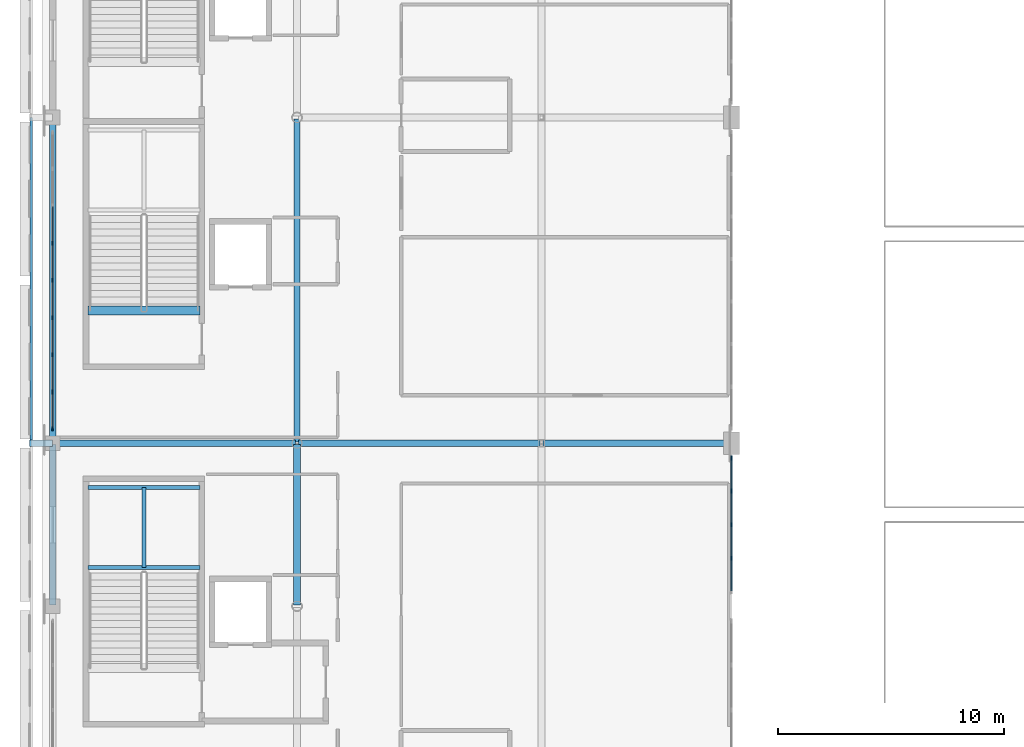
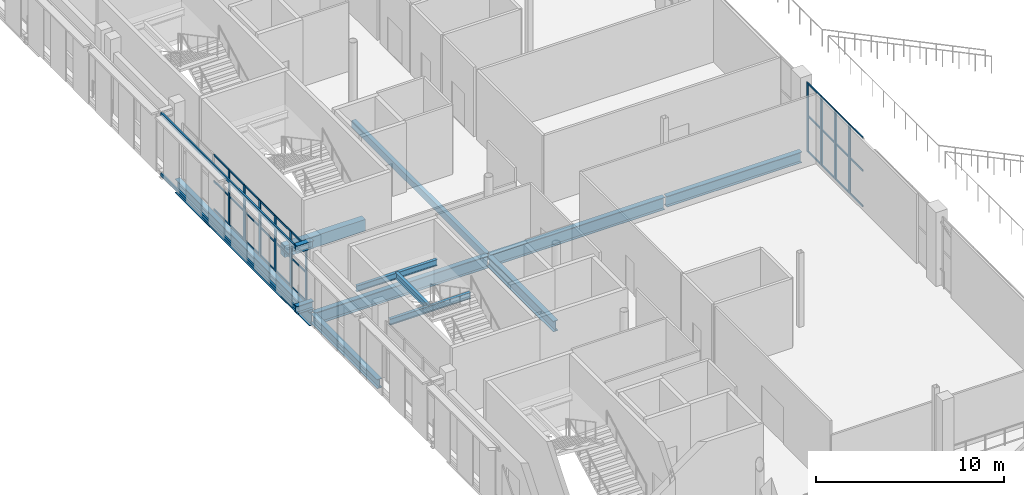
# One storey, part 19 of 104: 42 members, 13 beams, 2 elements without a shape of their own.
"""IFC4 building model written with IfcOpenShell, lengths in metres."""

from ifc_helpers import new_model, si_unit, direction, frame, origin, origin_2d, place, context, subcontext, project, spatial, rectangle, hollow_rectangle, i_section, extrude, material, material_profile, profile_set, type_object, element, aggregate, save


model = new_model("IFC4")

# Units and contexts
model_context = context("Model", 3, precision=1e-05, world=origin(), true_north=direction((0.0, 1.0)))
body_context = subcontext(model_context, "Body", "Model", "MODEL_VIEW")
ifc_project = project(units=[si_unit("LENGTHUNIT", "METRE"), si_unit("AREAUNIT", "SQUARE_METRE"), si_unit("VOLUMEUNIT", "CUBIC_METRE"), si_unit("PLANEANGLEUNIT", "RADIAN"), si_unit("MASSUNIT", "GRAM", prefix="KILO")], contexts=[model_context])

# Site, building, storey
site_placement = place(None, origin())
site = spatial("IfcSite", under=ifc_project, at=site_placement, CompositionType="ELEMENT")
building_placement = place(site_placement, origin())
building = spatial("IfcBuilding", under=site, at=building_placement, Name="Koshinbarg Plaza Stadium", CompositionType="ELEMENT")
storey_placement = place(building_placement, frame((0.0, 0.0, 19.800048828125)))
storey = spatial("IfcBuildingStorey", under=building, at=storey_placement, Name="L04", CompositionType="ELEMENT", Elevation=19.800048828125)

# Beams
ifc_material_1 = material(Name="Steel S355", Category="steel")
ifc_material_profile_1 = material_profile(ifc_material_1, i_section(OverallWidth=0.300048828125, OverallDepth=0.5, WebThickness=0.014404296875, FlangeThickness=0.028076171875, at=origin_2d()), Name="HEB 500")
ifc_profile_set_1 = profile_set([ifc_material_profile_1], Name="Steel S355")
beam_type_1 = type_object("IfcBeamType", Name="BM-CANOPY-CANT", PredefinedType="BEAM", material=ifc_profile_set_1)
for number, where, z_axis, x_axis, name in (
    (1, (24.60009765625, 54.300048828125, 0.25), (-1.0, 0.0, 0.0), (0.0, -1.0, 0.0), "Outer screen cantilever outrigger W-L04-Y03"),
    (2, (24.60009765625, 54.300048828125, 4.179931640625), (-1.0, 0.0, 0.0), (0.0, -1.0, 0.0), "Outer screen cantilever outrigger W-L04-Y03"),
):
    element("IfcBeam", number, at=place(storey_placement, frame(where, z_axis=z_axis, x_axis=x_axis)), inside=storey, type_object=beam_type_1, Name=name, PredefinedType="BEAM", context=body_context, shape_type="SweptSolid", body=[
        extrude(i_section(OverallWidth=0.300048828125, OverallDepth=0.5, WebThickness=0.014404296875, FlangeThickness=0.028076171875, at=origin_2d()), origin(), (0.0, 0.0, 1.0), 1.030029296875),
    ])
ifc_material_2 = material(Name="Concrete C40/50", Category="concrete")
ifc_material_profile_2 = material_profile(ifc_material_2, rectangle(XDim=0.39990234375, YDim=0.75, at=origin_2d()), Name="RC 400x750")
ifc_profile_set_2 = profile_set([ifc_material_profile_2], Name="Concrete C40/50")
beam_type_2 = type_object("IfcBeamType", Name="BM-RCG-03", PredefinedType="USERDEFINED", material=ifc_profile_set_2)
beam_1_placement = place(storey_placement, frame((26.14990234375, 60.159912109375, -0.375), z_axis=(1.0, 0.0, 0.0), x_axis=(0.0, 1.0, 0.0)))
element("IfcBeam", 3, at=beam_1_placement, inside=storey, type_object=beam_type_2, Name="L04 stair landing header beam C03", ObjectType="GIRDER", PredefinedType="USERDEFINED", context=body_context, shape_type="SweptSolid", body=[
    extrude(rectangle(XDim=0.39990234375, YDim=0.75, at=origin_2d()), origin(), (0.0, 0.0, 1.0), 4.97021484375),
])
ifc_material_profile_3 = material_profile(ifc_material_1, i_section(OverallWidth=0.179931640625, OverallDepth=0.39990234375, WebThickness=0.008544921875, FlangeThickness=0.013427734375, at=origin_2d()), Name="IPE 400")
ifc_profile_set_3 = profile_set([ifc_material_profile_3], Name="Steel S355")
beam_type_3 = type_object("IfcBeamType", Name="BM-SBM-01", PredefinedType="BEAM", material=ifc_profile_set_3)
for number, where, z_axis, x_axis, name in (
    (4, (26.14990234375, 48.81005859375, 1.8798828125), (1.0, 0.0, 0.0), (0.0, 1.0, 0.0), "L04 Protected Exit Stair C02 landing trimmer beam 1"),
    (5, (26.14990234375, 52.35009765625, 1.8798828125), (1.0, 0.0, 0.0), (0.0, 1.0, 0.0), "L04 Protected Exit Stair C02 landing trimmer beam 2"),
):
    element("IfcBeam", number, at=place(storey_placement, frame(where, z_axis=z_axis, x_axis=x_axis)), inside=storey, type_object=beam_type_3, Name=name, PredefinedType="BEAM", context=body_context, shape_type="SweptSolid", body=[
        extrude(i_section(OverallWidth=0.179931640625, OverallDepth=0.39990234375, WebThickness=0.008544921875, FlangeThickness=0.013427734375, at=origin_2d()), origin(), (0.0, 0.0, 1.0), 4.97021484375),
    ])
beam_2_placement = place(storey_placement, frame((28.635009765625, 48.81005859375, 1.8798828125), z_axis=(0.0, 1.0, 0.0), x_axis=(-1.0, 0.0, 0.0)))
element("IfcBeam", 6, at=beam_2_placement, inside=storey, type_object=beam_type_3, Name="L04 Protected Exit Stair C02 landing trimmer beam 3", PredefinedType="BEAM", context=body_context, shape_type="SweptSolid", body=[
    extrude(i_section(OverallWidth=0.179931640625, OverallDepth=0.39990234375, WebThickness=0.008544921875, FlangeThickness=0.013427734375, at=origin_2d()), origin(), (0.0, 0.0, 1.0), 3.5400390625),
])
ifc_material_profile_4 = material_profile(ifc_material_1, i_section(OverallWidth=0.300048828125, OverallDepth=0.60009765625, WebThickness=0.015380859375, FlangeThickness=0.030029296875, at=origin_2d()), Name="HEB 600")
ifc_profile_set_4 = profile_set([ifc_material_profile_4], Name="Steel S355")
beam_type_4 = type_object("IfcBeamType", Name="BM-SGIR-02", PredefinedType="USERDEFINED", material=ifc_profile_set_4)
beam_3_placement = place(storey_placement, frame((24.60009765625, 47.159912109375, -0.60009765625), z_axis=(0.0, 1.0, 0.0), x_axis=(-1.0, 0.0, 0.0)))
element("IfcBeam", 7, at=beam_3_placement, inside=storey, type_object=beam_type_4, Name="L04 Y girder 5/G-H", ObjectType="GIRDER", PredefinedType="USERDEFINED", context=body_context, shape_type="SweptSolid", body=[
    extrude(i_section(OverallWidth=0.300048828125, OverallDepth=0.60009765625, WebThickness=0.015380859375, FlangeThickness=0.030029296875, at=origin_2d()), origin(), (0.0, 0.0, 1.0), 7.080078125),
])
ifc_material_profile_5 = material_profile(ifc_material_1, i_section(OverallWidth=0.300048828125, OverallDepth=0.699951171875, WebThickness=0.01708984375, FlangeThickness=0.031982421875, at=origin_2d()), Name="HEB 700")
ifc_profile_set_5 = profile_set([ifc_material_profile_5], Name="Steel S355")
beam_type_5 = type_object("IfcBeamType", Name="BM-SGIR-03", PredefinedType="USERDEFINED", material=ifc_profile_set_5)
beam_4_placement = place(storey_placement, frame((46.260009765625, 54.300048828125, -0.650146484375), z_axis=(1.0, 0.0, 0.0), x_axis=(0.0, 1.0, 0.0)))
element("IfcBeam", 8, at=beam_4_placement, inside=storey, type_object=beam_type_5, Name="L04 X girder H/7-8", ObjectType="GIRDER", PredefinedType="USERDEFINED", context=body_context, shape_type="SweptSolid", body=[
    extrude(i_section(OverallWidth=0.300048828125, OverallDepth=0.699951171875, WebThickness=0.01708984375, FlangeThickness=0.031982421875, at=origin_2d()), origin(), (0.0, 0.0, 1.0), 8.280029296875),
])
beam_5_placement = place(storey_placement, frame((35.39990234375, 47.159912109375, -0.650146484375), z_axis=(0.0, 1.0, 0.0), x_axis=(-1.0, 0.0, 0.0)))
element("IfcBeam", 9, at=beam_5_placement, inside=storey, type_object=beam_type_5, Name="L04 Y girder 6/G-H", ObjectType="GIRDER", PredefinedType="USERDEFINED", context=body_context, shape_type="SweptSolid", body=[
    extrude(i_section(OverallWidth=0.300048828125, OverallDepth=0.699951171875, WebThickness=0.01708984375, FlangeThickness=0.031982421875, at=origin_2d()), origin(), (0.0, 0.0, 1.0), 7.080078125),
])
ifc_material_profile_6 = material_profile(ifc_material_1, i_section(OverallWidth=0.300048828125, OverallDepth=0.800048828125, WebThickness=0.017578125, FlangeThickness=0.032958984375, at=origin_2d()), Name="HEB 800")
ifc_profile_set_6 = profile_set([ifc_material_profile_6], Name="Steel S355")
beam_type_6 = type_object("IfcBeamType", Name="BM-SGIR-04", PredefinedType="USERDEFINED", material=ifc_profile_set_6)
beam_6_placement = place(storey_placement, frame((24.659912109375, 54.300048828125, -0.699951171875), z_axis=(1.0, 0.0, 0.0), x_axis=(0.0, 1.0, 0.0)))
element("IfcBeam", 10, at=beam_6_placement, inside=storey, type_object=beam_type_6, Name="L04 X girder H/5-6", ObjectType="GIRDER", PredefinedType="USERDEFINED", context=body_context, shape_type="SweptSolid", body=[
    extrude(i_section(OverallWidth=0.300048828125, OverallDepth=0.800048828125, WebThickness=0.017578125, FlangeThickness=0.032958984375, at=origin_2d()), origin(), (0.0, 0.0, 1.0), 10.68017578125),
])
beam_7_placement = place(storey_placement, frame((35.4599609375, 54.300048828125, -0.699951171875), z_axis=(1.0, 0.0, 0.0), x_axis=(0.0, 1.0, 0.0)))
element("IfcBeam", 11, at=beam_7_placement, inside=storey, type_object=beam_type_6, Name="L04 X girder H/6-7", ObjectType="GIRDER", PredefinedType="USERDEFINED", context=body_context, shape_type="SweptSolid", body=[
    extrude(i_section(OverallWidth=0.300048828125, OverallDepth=0.800048828125, WebThickness=0.017578125, FlangeThickness=0.032958984375, at=origin_2d()), origin(), (0.0, 0.0, 1.0), 10.679931640625),
])
ifc_material_profile_7 = material_profile(ifc_material_1, i_section(OverallWidth=0.300048828125, OverallDepth=0.89990234375, WebThickness=0.0185546875, FlangeThickness=0.034912109375, at=origin_2d()), Name="HEB 900")
ifc_profile_set_7 = profile_set([ifc_material_profile_7], Name="Steel S355")
beam_type_7 = type_object("IfcBeamType", Name="BM-SGIR-05", PredefinedType="USERDEFINED", material=ifc_profile_set_7)
beam_8_placement = place(storey_placement, frame((24.60009765625, 54.360107421875, -0.75), z_axis=(0.0, 1.0, 0.0), x_axis=(-1.0, 0.0, 0.0)))
element("IfcBeam", 12, at=beam_8_placement, inside=storey, type_object=beam_type_7, Name="L04 Y girder 5/H-J", ObjectType="GIRDER", PredefinedType="USERDEFINED", context=body_context, shape_type="SweptSolid", body=[
    extrude(i_section(OverallWidth=0.300048828125, OverallDepth=0.89990234375, WebThickness=0.0185546875, FlangeThickness=0.034912109375, at=origin_2d()), origin(), (0.0, 0.0, 1.0), 14.27978515625),
])
ifc_material_profile_8 = material_profile(ifc_material_1, hollow_rectangle(XDim=0.25, YDim=0.449951171875, WallThickness=0.01611328125, at=origin_2d()), Name="RHS 450x250x16")
ifc_profile_set_8 = profile_set([ifc_material_profile_8], Name="Steel S355")
beam_type_8 = type_object("IfcBeamType", Name="BM-SGIR-06", PredefinedType="USERDEFINED", material=ifc_profile_set_8)
beam_9_placement = place(storey_placement, frame((35.39990234375, 54.360107421875, -0.525146484375), z_axis=(0.0, 1.0, 0.0), x_axis=(-1.0, 0.0, 0.0)))
element("IfcBeam", 13, at=beam_9_placement, inside=storey, type_object=beam_type_8, Name="L04 Y girder 6/H-J", ObjectType="GIRDER", PredefinedType="USERDEFINED", context=body_context, shape_type="SweptSolid", body=[
    extrude(hollow_rectangle(XDim=0.25, YDim=0.449951171875, WallThickness=0.01611328125, at=origin_2d()), origin(), (0.0, 0.0, 1.0), 14.27978515625),
])

# Curtain wall, members
ifc_material_3 = material(Name="Thermally broken anodised aluminium and low-E double glazing", Category="aluminium")
curtain_wall_type_1 = type_object("IfcCurtainWallType", Name="CW-SYS-15", PredefinedType="NOTDEFINED", material=ifc_material_3)
curtain_wall_1_placement = place(storey_placement, origin())
curtain_wall_1 = element("IfcCurtainWall", 14, at=curtain_wall_1_placement, inside=storey, type_object=curtain_wall_type_1, Name="L04 unitised curtain wall CW-L04-094", PredefinedType="NOTDEFINED")
ifc_material_4 = material(Name="Anodised aluminium mullion", Category="aluminium")
ifc_material_profile_9 = material_profile(ifc_material_4, rectangle(XDim=0.070068359375, YDim=0.179931640625, at=origin_2d()), Name="ALU 70x180")
ifc_profile_set_9 = profile_set([ifc_material_profile_9], Name="Anodised aluminium mullion")
member_type_1 = type_object("IfcMemberType", Name="CW-MUL-03", PredefinedType="MULLION", material=ifc_profile_set_9)
member_1_placement = place(storey_placement, frame((24.60009765625, 54.949951171875, 0.0), z_axis=(0.0, 0.0, 1.0), x_axis=(-1.0, 0.0, 0.0)))
member_1 = element("IfcMember", 15, at=member_1_placement, type_object=member_type_1, Name="CW15 mullion 1", PredefinedType="MULLION", context=body_context, shape_type="SweptSolid", body=[
    extrude(rectangle(XDim=0.070068359375, YDim=0.179931640625, at=origin_2d()), origin(), (0.0, 0.0, 1.0), 3.579833984375),
])
member_2_placement = place(storey_placement, frame((24.60009765625, 56.56494140625, 0.0), z_axis=(0.0, 0.0, 1.0), x_axis=(-1.0, 0.0, 0.0)))
member_2 = element("IfcMember", 16, at=member_2_placement, type_object=member_type_1, Name="CW15 mullion 2", PredefinedType="MULLION", context=body_context, shape_type="SweptSolid", body=[
    extrude(rectangle(XDim=0.070068359375, YDim=0.179931640625, at=origin_2d()), origin(), (0.0, 0.0, 1.0), 3.579833984375),
])
member_3_placement = place(storey_placement, frame((24.60009765625, 58.2099609375, 0.0), z_axis=(0.0, 0.0, 1.0), x_axis=(-1.0, 0.0, 0.0)))
member_3 = element("IfcMember", 17, at=member_3_placement, type_object=member_type_1, Name="CW15 mullion 3", PredefinedType="MULLION", context=body_context, shape_type="SweptSolid", body=[
    extrude(rectangle(XDim=0.070068359375, YDim=0.179931640625, at=origin_2d()), origin(), (0.0, 0.0, 1.0), 3.579833984375),
])
member_4_placement = place(storey_placement, frame((24.60009765625, 59.85498046875, 0.0), z_axis=(0.0, 0.0, 1.0), x_axis=(-1.0, 0.0, 0.0)))
member_4 = element("IfcMember", 18, at=member_4_placement, type_object=member_type_1, Name="CW15 mullion 4", PredefinedType="MULLION", context=body_context, shape_type="SweptSolid", body=[
    extrude(rectangle(XDim=0.070068359375, YDim=0.179931640625, at=origin_2d()), origin(), (0.0, 0.0, 1.0), 3.579833984375),
])
member_5_placement = place(storey_placement, frame((24.60009765625, 61.5, 0.0), z_axis=(0.0, 0.0, 1.0), x_axis=(-1.0, 0.0, 0.0)))
member_5 = element("IfcMember", 19, at=member_5_placement, type_object=member_type_1, Name="CW15 mullion 5", PredefinedType="MULLION", context=body_context, shape_type="SweptSolid", body=[
    extrude(rectangle(XDim=0.070068359375, YDim=0.179931640625, at=origin_2d()), origin(), (0.0, 0.0, 1.0), 3.579833984375),
])
member_6_placement = place(storey_placement, frame((24.60009765625, 63.14501953125, 0.0), z_axis=(0.0, 0.0, 1.0), x_axis=(-1.0, 0.0, 0.0)))
member_6 = element("IfcMember", 20, at=member_6_placement, type_object=member_type_1, Name="CW15 mullion 6", PredefinedType="MULLION", context=body_context, shape_type="SweptSolid", body=[
    extrude(rectangle(XDim=0.070068359375, YDim=0.179931640625, at=origin_2d()), origin(), (0.0, 0.0, 1.0), 3.579833984375),
])

curtain_wall_type_2 = type_object("IfcCurtainWallType", Name="CW-SYS-07", PredefinedType="NOTDEFINED", material=ifc_material_3)
curtain_wall_2_placement = place(storey_placement, origin())
curtain_wall_2 = element("IfcCurtainWall", 21, at=curtain_wall_2_placement, inside=storey, type_object=curtain_wall_type_2, Name="L04 unitised curtain wall CW-L04-118", PredefinedType="NOTDEFINED")
member_7_placement = place(storey_placement, frame((54.60009765625, 53.64990234375, 0.0), z_axis=(0.0, 0.0, 1.0), x_axis=(1.0, 0.0, 0.0)))
member_7 = element("IfcMember", 22, at=member_7_placement, type_object=member_type_1, Name="CW07 mullion 1", PredefinedType="MULLION", context=body_context, shape_type="SweptSolid", body=[
    extrude(rectangle(XDim=0.070068359375, YDim=0.179931640625, at=origin_2d()), origin(), (0.0, 0.0, 1.0), 4.47998046875),
])
member_8_placement = place(storey_placement, frame((54.60009765625, 52.18994140625, 0.0), z_axis=(0.0, 0.0, 1.0), x_axis=(1.0, 0.0, 0.0)))
member_8 = element("IfcMember", 23, at=member_8_placement, type_object=member_type_1, Name="CW07 mullion 2", PredefinedType="MULLION", context=body_context, shape_type="SweptSolid", body=[
    extrude(rectangle(XDim=0.070068359375, YDim=0.179931640625, at=origin_2d()), origin(), (0.0, 0.0, 1.0), 4.47998046875),
])
member_9_placement = place(storey_placement, frame((54.60009765625, 50.699951171875, 0.0), z_axis=(0.0, 0.0, 1.0), x_axis=(1.0, 0.0, 0.0)))
member_9 = element("IfcMember", 24, at=member_9_placement, type_object=member_type_1, Name="CW07 mullion 3", PredefinedType="MULLION", context=body_context, shape_type="SweptSolid", body=[
    extrude(rectangle(XDim=0.070068359375, YDim=0.179931640625, at=origin_2d()), origin(), (0.0, 0.0, 1.0), 4.47998046875),
])
member_10_placement = place(storey_placement, frame((54.60009765625, 49.2099609375, 0.0), z_axis=(0.0, 0.0, 1.0), x_axis=(1.0, 0.0, 0.0)))
member_10 = element("IfcMember", 25, at=member_10_placement, type_object=member_type_1, Name="CW07 mullion 4", PredefinedType="MULLION", context=body_context, shape_type="SweptSolid", body=[
    extrude(rectangle(XDim=0.070068359375, YDim=0.179931640625, at=origin_2d()), origin(), (0.0, 0.0, 1.0), 4.47998046875),
])

# Member
ifc_material_5 = material(Name="Anodised aluminium transom", Category="aluminium")
ifc_material_profile_10 = material_profile(ifc_material_5, rectangle(XDim=0.06005859375, YDim=0.110107421875, at=origin_2d()), Name="ALU 60x110")
ifc_profile_set_10 = profile_set([ifc_material_profile_10], Name="Anodised aluminium transom")
member_type_2 = type_object("IfcMemberType", Name="CW-TRN-01", PredefinedType="USERDEFINED", material=ifc_profile_set_10)
member_11_placement = place(storey_placement, frame((24.60009765625, 54.97998046875, 0.030029296875), z_axis=(0.0, 1.0, 0.0), x_axis=(-1.0, 0.0, 0.0)))
member_11 = element("IfcMember", 26, at=member_11_placement, type_object=member_type_2, Name="CW15 transom 1.1", ObjectType="TRANSOM", PredefinedType="USERDEFINED", context=body_context, shape_type="SweptSolid", body=[
    extrude(rectangle(XDim=0.06005859375, YDim=0.110107421875, at=origin_2d()), origin(), (0.0, 0.0, 1.0), 1.554931640625),
])

member_12_placement = place(storey_placement, frame((24.60009765625, 54.97998046875, 1.861572265625), z_axis=(0.0, 1.0, 0.0), x_axis=(-1.0, 0.0, 0.0)))
member_12 = element("IfcMember", 27, at=member_12_placement, type_object=member_type_2, Name="CW15 transom 1.2", ObjectType="TRANSOM", PredefinedType="USERDEFINED", context=body_context, shape_type="SweptSolid", body=[
    extrude(rectangle(XDim=0.06005859375, YDim=0.110107421875, at=origin_2d()), origin(), (0.0, 0.0, 1.0), 1.554931640625),
])

member_13_placement = place(storey_placement, frame((24.60009765625, 54.97998046875, 3.550048828125), z_axis=(0.0, 1.0, 0.0), x_axis=(-1.0, 0.0, 0.0)))
member_13 = element("IfcMember", 28, at=member_13_placement, type_object=member_type_2, Name="CW15 transom 1.3", ObjectType="TRANSOM", PredefinedType="USERDEFINED", context=body_context, shape_type="SweptSolid", body=[
    extrude(rectangle(XDim=0.06005859375, YDim=0.110107421875, at=origin_2d()), origin(), (0.0, 0.0, 1.0), 1.554931640625),
])

member_14_placement = place(storey_placement, frame((24.60009765625, 56.594970703125, 0.030029296875), z_axis=(0.0, 1.0, 0.0), x_axis=(-1.0, 0.0, 0.0)))
member_14 = element("IfcMember", 29, at=member_14_placement, type_object=member_type_2, Name="CW15 transom 2.1", ObjectType="TRANSOM", PredefinedType="USERDEFINED", context=body_context, shape_type="SweptSolid", body=[
    extrude(rectangle(XDim=0.06005859375, YDim=0.110107421875, at=origin_2d()), origin(), (0.0, 0.0, 1.0), 1.5849609375),
])

member_15_placement = place(storey_placement, frame((24.60009765625, 56.594970703125, 1.861572265625), z_axis=(0.0, 1.0, 0.0), x_axis=(-1.0, 0.0, 0.0)))
member_15 = element("IfcMember", 30, at=member_15_placement, type_object=member_type_2, Name="CW15 transom 2.2", ObjectType="TRANSOM", PredefinedType="USERDEFINED", context=body_context, shape_type="SweptSolid", body=[
    extrude(rectangle(XDim=0.06005859375, YDim=0.110107421875, at=origin_2d()), origin(), (0.0, 0.0, 1.0), 1.5849609375),
])

member_16_placement = place(storey_placement, frame((24.60009765625, 56.594970703125, 3.550048828125), z_axis=(0.0, 1.0, 0.0), x_axis=(-1.0, 0.0, 0.0)))
member_16 = element("IfcMember", 31, at=member_16_placement, type_object=member_type_2, Name="CW15 transom 2.3", ObjectType="TRANSOM", PredefinedType="USERDEFINED", context=body_context, shape_type="SweptSolid", body=[
    extrude(rectangle(XDim=0.06005859375, YDim=0.110107421875, at=origin_2d()), origin(), (0.0, 0.0, 1.0), 1.5849609375),
])

member_17_placement = place(storey_placement, frame((24.60009765625, 58.239990234375, 0.030029296875), z_axis=(0.0, 1.0, 0.0), x_axis=(-1.0, 0.0, 0.0)))
member_17 = element("IfcMember", 32, at=member_17_placement, type_object=member_type_2, Name="CW15 transom 3.1", ObjectType="TRANSOM", PredefinedType="USERDEFINED", context=body_context, shape_type="SweptSolid", body=[
    extrude(rectangle(XDim=0.06005859375, YDim=0.110107421875, at=origin_2d()), origin(), (0.0, 0.0, 1.0), 1.5849609375),
])

member_18_placement = place(storey_placement, frame((24.60009765625, 58.239990234375, 1.861572265625), z_axis=(0.0, 1.0, 0.0), x_axis=(-1.0, 0.0, 0.0)))
member_18 = element("IfcMember", 33, at=member_18_placement, type_object=member_type_2, Name="CW15 transom 3.2", ObjectType="TRANSOM", PredefinedType="USERDEFINED", context=body_context, shape_type="SweptSolid", body=[
    extrude(rectangle(XDim=0.06005859375, YDim=0.110107421875, at=origin_2d()), origin(), (0.0, 0.0, 1.0), 1.5849609375),
])

member_19_placement = place(storey_placement, frame((24.60009765625, 58.239990234375, 3.550048828125), z_axis=(0.0, 1.0, 0.0), x_axis=(-1.0, 0.0, 0.0)))
member_19 = element("IfcMember", 34, at=member_19_placement, type_object=member_type_2, Name="CW15 transom 3.3", ObjectType="TRANSOM", PredefinedType="USERDEFINED", context=body_context, shape_type="SweptSolid", body=[
    extrude(rectangle(XDim=0.06005859375, YDim=0.110107421875, at=origin_2d()), origin(), (0.0, 0.0, 1.0), 1.5849609375),
])

member_20_placement = place(storey_placement, frame((24.60009765625, 59.885009765625, 0.030029296875), z_axis=(0.0, 1.0, 0.0), x_axis=(-1.0, 0.0, 0.0)))
member_20 = element("IfcMember", 35, at=member_20_placement, type_object=member_type_2, Name="CW15 transom 4.1", ObjectType="TRANSOM", PredefinedType="USERDEFINED", context=body_context, shape_type="SweptSolid", body=[
    extrude(rectangle(XDim=0.06005859375, YDim=0.110107421875, at=origin_2d()), origin(), (0.0, 0.0, 1.0), 1.5849609375),
])

member_21_placement = place(storey_placement, frame((24.60009765625, 59.885009765625, 1.861572265625), z_axis=(0.0, 1.0, 0.0), x_axis=(-1.0, 0.0, 0.0)))
member_21 = element("IfcMember", 36, at=member_21_placement, type_object=member_type_2, Name="CW15 transom 4.2", ObjectType="TRANSOM", PredefinedType="USERDEFINED", context=body_context, shape_type="SweptSolid", body=[
    extrude(rectangle(XDim=0.06005859375, YDim=0.110107421875, at=origin_2d()), origin(), (0.0, 0.0, 1.0), 1.5849609375),
])

member_22_placement = place(storey_placement, frame((24.60009765625, 59.885009765625, 3.550048828125), z_axis=(0.0, 1.0, 0.0), x_axis=(-1.0, 0.0, 0.0)))
member_22 = element("IfcMember", 37, at=member_22_placement, type_object=member_type_2, Name="CW15 transom 4.3", ObjectType="TRANSOM", PredefinedType="USERDEFINED", context=body_context, shape_type="SweptSolid", body=[
    extrude(rectangle(XDim=0.06005859375, YDim=0.110107421875, at=origin_2d()), origin(), (0.0, 0.0, 1.0), 1.5849609375),
])

member_23_placement = place(storey_placement, frame((24.60009765625, 61.530029296875, 0.030029296875), z_axis=(0.0, 1.0, 0.0), x_axis=(-1.0, 0.0, 0.0)))
member_23 = element("IfcMember", 38, at=member_23_placement, type_object=member_type_2, Name="CW15 transom 5.1", ObjectType="TRANSOM", PredefinedType="USERDEFINED", context=body_context, shape_type="SweptSolid", body=[
    extrude(rectangle(XDim=0.06005859375, YDim=0.110107421875, at=origin_2d()), origin(), (0.0, 0.0, 1.0), 1.5849609375),
])

member_24_placement = place(storey_placement, frame((24.60009765625, 61.530029296875, 1.861572265625), z_axis=(0.0, 1.0, 0.0), x_axis=(-1.0, 0.0, 0.0)))
member_24 = element("IfcMember", 39, at=member_24_placement, type_object=member_type_2, Name="CW15 transom 5.2", ObjectType="TRANSOM", PredefinedType="USERDEFINED", context=body_context, shape_type="SweptSolid", body=[
    extrude(rectangle(XDim=0.06005859375, YDim=0.110107421875, at=origin_2d()), origin(), (0.0, 0.0, 1.0), 1.5849609375),
])

member_25_placement = place(storey_placement, frame((24.60009765625, 61.530029296875, 3.550048828125), z_axis=(0.0, 1.0, 0.0), x_axis=(-1.0, 0.0, 0.0)))
member_25 = element("IfcMember", 40, at=member_25_placement, type_object=member_type_2, Name="CW15 transom 5.3", ObjectType="TRANSOM", PredefinedType="USERDEFINED", context=body_context, shape_type="SweptSolid", body=[
    extrude(rectangle(XDim=0.06005859375, YDim=0.110107421875, at=origin_2d()), origin(), (0.0, 0.0, 1.0), 1.5849609375),
])

member_26_placement = place(storey_placement, frame((24.60009765625, 63.175048828125, 0.030029296875), z_axis=(0.0, 1.0, 0.0), x_axis=(-1.0, 0.0, 0.0)))
member_26 = element("IfcMember", 41, at=member_26_placement, type_object=member_type_2, Name="CW15 transom 6.1", ObjectType="TRANSOM", PredefinedType="USERDEFINED", context=body_context, shape_type="SweptSolid", body=[
    extrude(rectangle(XDim=0.06005859375, YDim=0.110107421875, at=origin_2d()), origin(), (0.0, 0.0, 1.0), 1.5849609375),
])

member_27_placement = place(storey_placement, frame((24.60009765625, 63.175048828125, 1.861572265625), z_axis=(0.0, 1.0, 0.0), x_axis=(-1.0, 0.0, 0.0)))
member_27 = element("IfcMember", 42, at=member_27_placement, type_object=member_type_2, Name="CW15 transom 6.2", ObjectType="TRANSOM", PredefinedType="USERDEFINED", context=body_context, shape_type="SweptSolid", body=[
    extrude(rectangle(XDim=0.06005859375, YDim=0.110107421875, at=origin_2d()), origin(), (0.0, 0.0, 1.0), 1.5849609375),
])

member_28_placement = place(storey_placement, frame((24.60009765625, 63.175048828125, 3.550048828125), z_axis=(0.0, 1.0, 0.0), x_axis=(-1.0, 0.0, 0.0)))
member_28 = element("IfcMember", 43, at=member_28_placement, type_object=member_type_2, Name="CW15 transom 6.3", ObjectType="TRANSOM", PredefinedType="USERDEFINED", context=body_context, shape_type="SweptSolid", body=[
    extrude(rectangle(XDim=0.06005859375, YDim=0.110107421875, at=origin_2d()), origin(), (0.0, 0.0, 1.0), 1.5849609375),
])

aggregate(curtain_wall_1, [member_1, member_2, member_3, member_4, member_5, member_6, member_11, member_12, member_13, member_14, member_15, member_16, member_17, member_18, member_19, member_20, member_21, member_22, member_23, member_24, member_25, member_26, member_27, member_28])

member_29_placement = place(storey_placement, frame((54.60009765625, 53.6201171875, 0.030029296875), z_axis=(0.0, -1.0, 0.0), x_axis=(1.0, 0.0, 0.0)))
member_29 = element("IfcMember", 44, at=member_29_placement, type_object=member_type_2, Name="CW07 transom 1.1", ObjectType="TRANSOM", PredefinedType="USERDEFINED", context=body_context, shape_type="SweptSolid", body=[
    extrude(rectangle(XDim=0.06005859375, YDim=0.110107421875, at=origin_2d()), origin(), (0.0, 0.0, 1.0), 1.400146484375),
])

member_30_placement = place(storey_placement, frame((54.60009765625, 53.6201171875, 2.32958984375), z_axis=(0.0, -1.0, 0.0), x_axis=(1.0, 0.0, 0.0)))
member_30 = element("IfcMember", 45, at=member_30_placement, type_object=member_type_2, Name="CW07 transom 1.2", ObjectType="TRANSOM", PredefinedType="USERDEFINED", context=body_context, shape_type="SweptSolid", body=[
    extrude(rectangle(XDim=0.06005859375, YDim=0.110107421875, at=origin_2d()), origin(), (0.0, 0.0, 1.0), 1.400146484375),
])

member_31_placement = place(storey_placement, frame((54.60009765625, 53.6201171875, 4.449951171875), z_axis=(0.0, -1.0, 0.0), x_axis=(1.0, 0.0, 0.0)))
member_31 = element("IfcMember", 46, at=member_31_placement, type_object=member_type_2, Name="CW07 transom 1.3", ObjectType="TRANSOM", PredefinedType="USERDEFINED", context=body_context, shape_type="SweptSolid", body=[
    extrude(rectangle(XDim=0.06005859375, YDim=0.110107421875, at=origin_2d()), origin(), (0.0, 0.0, 1.0), 1.400146484375),
])

member_32_placement = place(storey_placement, frame((54.60009765625, 52.159912109375, 0.030029296875), z_axis=(0.0, -1.0, 0.0), x_axis=(1.0, 0.0, 0.0)))
member_32 = element("IfcMember", 47, at=member_32_placement, type_object=member_type_2, Name="CW07 transom 2.1", ObjectType="TRANSOM", PredefinedType="USERDEFINED", context=body_context, shape_type="SweptSolid", body=[
    extrude(rectangle(XDim=0.06005859375, YDim=0.110107421875, at=origin_2d()), origin(), (0.0, 0.0, 1.0), 1.429931640625),
])

member_33_placement = place(storey_placement, frame((54.60009765625, 52.159912109375, 2.32958984375), z_axis=(0.0, -1.0, 0.0), x_axis=(1.0, 0.0, 0.0)))
member_33 = element("IfcMember", 48, at=member_33_placement, type_object=member_type_2, Name="CW07 transom 2.2", ObjectType="TRANSOM", PredefinedType="USERDEFINED", context=body_context, shape_type="SweptSolid", body=[
    extrude(rectangle(XDim=0.06005859375, YDim=0.110107421875, at=origin_2d()), origin(), (0.0, 0.0, 1.0), 1.429931640625),
])

member_34_placement = place(storey_placement, frame((54.60009765625, 52.159912109375, 4.449951171875), z_axis=(0.0, -1.0, 0.0), x_axis=(1.0, 0.0, 0.0)))
member_34 = element("IfcMember", 49, at=member_34_placement, type_object=member_type_2, Name="CW07 transom 2.3", ObjectType="TRANSOM", PredefinedType="USERDEFINED", context=body_context, shape_type="SweptSolid", body=[
    extrude(rectangle(XDim=0.06005859375, YDim=0.110107421875, at=origin_2d()), origin(), (0.0, 0.0, 1.0), 1.429931640625),
])

member_35_placement = place(storey_placement, frame((54.60009765625, 50.669921875, 0.030029296875), z_axis=(0.0, -1.0, 0.0), x_axis=(1.0, 0.0, 0.0)))
member_35 = element("IfcMember", 50, at=member_35_placement, type_object=member_type_2, Name="CW07 transom 3.1", ObjectType="TRANSOM", PredefinedType="USERDEFINED", context=body_context, shape_type="SweptSolid", body=[
    extrude(rectangle(XDim=0.06005859375, YDim=0.110107421875, at=origin_2d()), origin(), (0.0, 0.0, 1.0), 1.429931640625),
])

member_36_placement = place(storey_placement, frame((54.60009765625, 50.669921875, 2.32958984375), z_axis=(0.0, -1.0, 0.0), x_axis=(1.0, 0.0, 0.0)))
member_36 = element("IfcMember", 51, at=member_36_placement, type_object=member_type_2, Name="CW07 transom 3.2", ObjectType="TRANSOM", PredefinedType="USERDEFINED", context=body_context, shape_type="SweptSolid", body=[
    extrude(rectangle(XDim=0.06005859375, YDim=0.110107421875, at=origin_2d()), origin(), (0.0, 0.0, 1.0), 1.429931640625),
])

member_37_placement = place(storey_placement, frame((54.60009765625, 50.669921875, 4.449951171875), z_axis=(0.0, -1.0, 0.0), x_axis=(1.0, 0.0, 0.0)))
member_37 = element("IfcMember", 52, at=member_37_placement, type_object=member_type_2, Name="CW07 transom 3.3", ObjectType="TRANSOM", PredefinedType="USERDEFINED", context=body_context, shape_type="SweptSolid", body=[
    extrude(rectangle(XDim=0.06005859375, YDim=0.110107421875, at=origin_2d()), origin(), (0.0, 0.0, 1.0), 1.429931640625),
])

member_38_placement = place(storey_placement, frame((54.60009765625, 49.179931640625, 0.030029296875), z_axis=(0.0, -1.0, 0.0), x_axis=(1.0, 0.0, 0.0)))
member_38 = element("IfcMember", 53, at=member_38_placement, type_object=member_type_2, Name="CW07 transom 4.1", ObjectType="TRANSOM", PredefinedType="USERDEFINED", context=body_context, shape_type="SweptSolid", body=[
    extrude(rectangle(XDim=0.06005859375, YDim=0.110107421875, at=origin_2d()), origin(), (0.0, 0.0, 1.0), 1.39990234375),
])

member_39_placement = place(storey_placement, frame((54.60009765625, 49.179931640625, 2.32958984375), z_axis=(0.0, -1.0, 0.0), x_axis=(1.0, 0.0, 0.0)))
member_39 = element("IfcMember", 54, at=member_39_placement, type_object=member_type_2, Name="CW07 transom 4.2", ObjectType="TRANSOM", PredefinedType="USERDEFINED", context=body_context, shape_type="SweptSolid", body=[
    extrude(rectangle(XDim=0.06005859375, YDim=0.110107421875, at=origin_2d()), origin(), (0.0, 0.0, 1.0), 1.39990234375),
])

member_40_placement = place(storey_placement, frame((54.60009765625, 49.179931640625, 4.449951171875), z_axis=(0.0, -1.0, 0.0), x_axis=(1.0, 0.0, 0.0)))
member_40 = element("IfcMember", 55, at=member_40_placement, type_object=member_type_2, Name="CW07 transom 4.3", ObjectType="TRANSOM", PredefinedType="USERDEFINED", context=body_context, shape_type="SweptSolid", body=[
    extrude(rectangle(XDim=0.06005859375, YDim=0.110107421875, at=origin_2d()), origin(), (0.0, 0.0, 1.0), 1.39990234375),
])

aggregate(curtain_wall_2, [member_7, member_8, member_9, member_10, member_29, member_30, member_31, member_32, member_33, member_34, member_35, member_36, member_37, member_38, member_39, member_40])

# Members
ifc_material_profile_11 = material_profile(ifc_material_1, hollow_rectangle(XDim=0.10009765625, YDim=0.199951171875, WallThickness=0.008056640625, at=origin_2d()), Name="RHS 200x100x8")
ifc_profile_set_11 = profile_set([ifc_material_profile_11], Name="Steel S355")
member_type_3 = type_object("IfcMemberType", Name="MB-PURL-03", PredefinedType="PURLIN", material=ifc_profile_set_11)
for number, where, z_axis, x_axis, name in (
    (56, (23.64990234375, 54.300048828125, 0.25), (0.0, 1.0, 0.0), (-1.0, 0.0, 0.0), "L04 outer screen subframe rail W-3-BOT"),
    (57, (23.64990234375, 54.300048828125, 4.179931640625), (0.0, 1.0, 0.0), (-1.0, 0.0, 0.0), "L04 outer screen subframe rail W-3-TOP"),
):
    element("IfcMember", number, at=place(storey_placement, frame(where, z_axis=z_axis, x_axis=x_axis)), inside=storey, type_object=member_type_3, Name=name, PredefinedType="PURLIN", context=body_context, shape_type="SweptSolid", body=[
        extrude(hollow_rectangle(XDim=0.10009765625, YDim=0.199951171875, WallThickness=0.008056640625, at=origin_2d()), origin(), (0.0, 0.0, 1.0), 14.39990234375),
    ])

save(model, "model.ifc")
